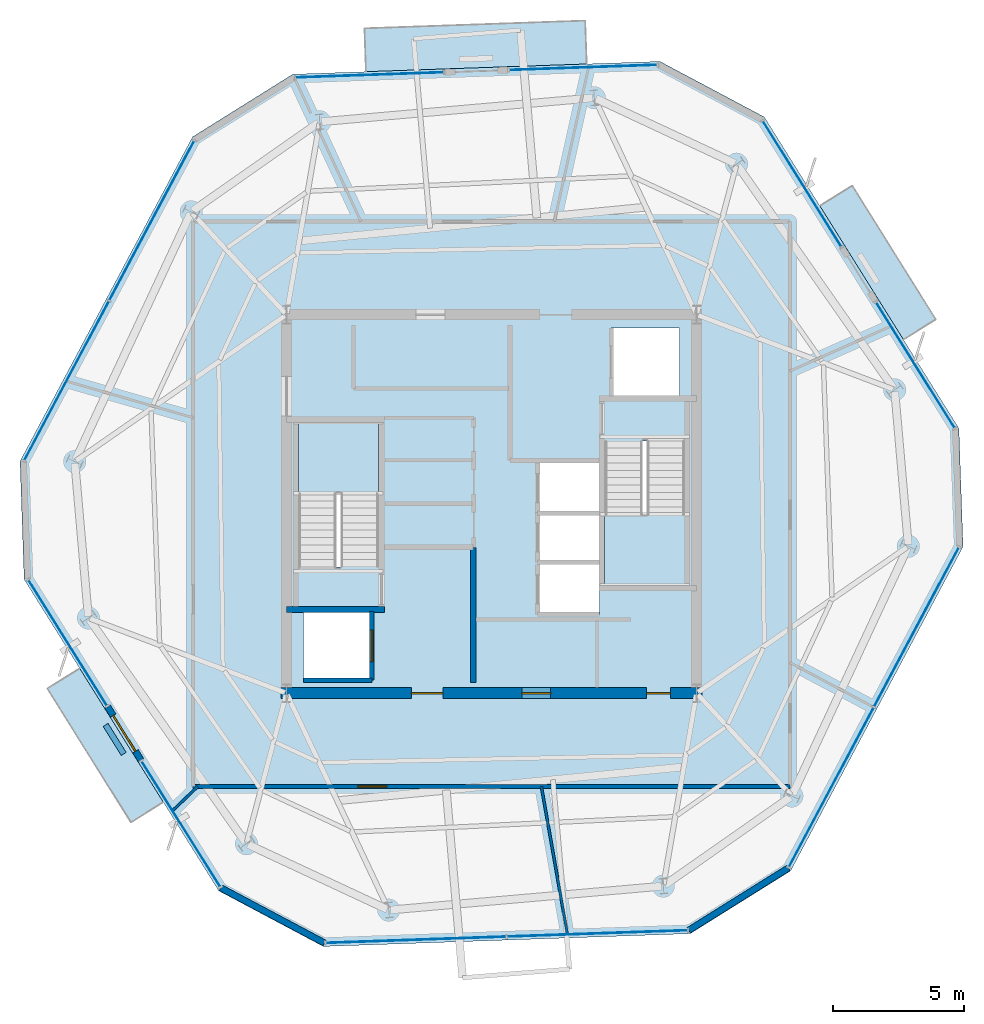
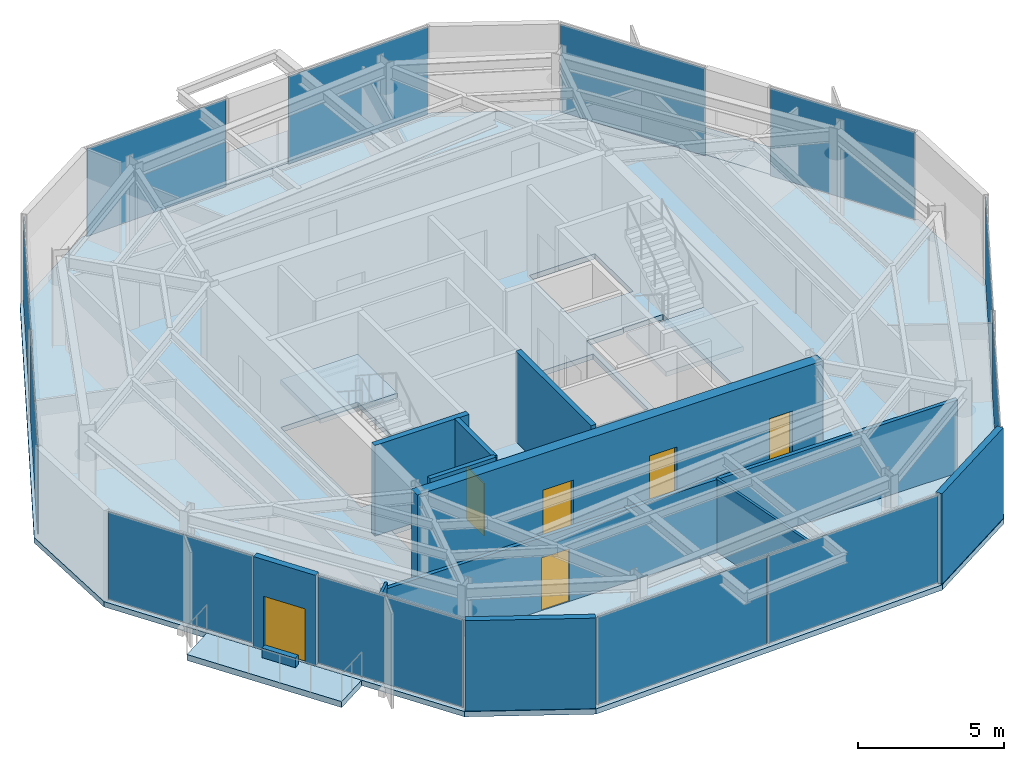
# One storey, part 5 of 11: 12 plates, 12 walls, 6 doors, 6 slabs, 6 openings, 11 elements without a shape of their own.
"""IFC4 building model written with IfcOpenShell, lengths in metres."""

from ifc_helpers import new_model, si_unit, direction, frame, frame_2d, origin, origin_2d, place, context, subcontext, project, spatial, polyline, rectangle, outline, extrude, material, layer, layer_set, type_object, element, fill, aggregate, save


model = new_model("IFC4")

# Units and contexts
model_context = context("Model", 3, precision=1e-05, world=origin(), true_north=direction((0.0, 1.0)))
body_context = subcontext(model_context, "Body", "Model", "MODEL_VIEW")
ifc_project = project(units=[si_unit("LENGTHUNIT", "METRE"), si_unit("AREAUNIT", "SQUARE_METRE"), si_unit("VOLUMEUNIT", "CUBIC_METRE"), si_unit("PLANEANGLEUNIT", "RADIAN"), si_unit("MASSUNIT", "GRAM", prefix="KILO")], contexts=[model_context])

# Site, building, storey
site_placement = place(None, origin())
site = spatial("IfcSite", under=ifc_project, at=site_placement, CompositionType="ELEMENT")
building_placement = place(site_placement, origin())
building = spatial("IfcBuilding", under=site, at=building_placement, Name="Kranzbogen Civic Tower", CompositionType="ELEMENT")
storey_placement = place(building_placement, frame((0.0, 0.0, 274.199951171875)))
storey = spatial("IfcBuildingStorey", under=building, at=storey_placement, Name="L66", CompositionType="ELEMENT", Elevation=274.199951171875)

# Slab
ifc_material_1 = material(Name="Concrete C40/50", Category="concrete")
ifc_layer_1 = layer(ifc_material_1, 0.219970703125, Name="Concrete C40/50")
ifc_layer_set_1 = layer_set([ifc_layer_1], Name="Concrete C40/50")
slab_type_1 = type_object("IfcSlabType", Name="Composite Upper Tower Floor Slab 220 mm", PredefinedType="FLOOR", material=ifc_layer_set_1)
slab_1_placement = place(storey_placement, frame((0.0, 0.0, -0.219970703125)))
element("IfcSlab", 1, at=slab_1_placement, inside=storey, type_object=slab_type_1, Name="L66 tower floor slab", PredefinedType="FLOOR", context=body_context, shape_type="SweptSolid", body=[
    extrude(outline(polyline([(31.402099609375, 41.833984375), (17.43896484375, 41.345947265625), (13.623046875, 38.9609375), (7.06298828125, 26.625), (7.219970703125, 22.1279296875), (14.6240234375, 10.279052734375), (18.597900390625, 8.166015625), (32.56103515625, 8.654052734375), (36.376953125, 11.0390625), (42.93701171875, 23.375), (42.780029296875, 27.8720703125), (35.3759765625, 39.720947265625), (31.402099609375, 41.833984375)]), holes=[polyline([(17.85009765625, 20.89990234375), (20.449951171875, 20.89990234375), (20.449951171875, 18.300048828125), (17.85009765625, 18.300048828125), (17.85009765625, 20.89990234375)]), polyline([(29.10009765625, 22.699951171875), (29.10009765625, 20.800048828125), (26.75, 20.800048828125), (26.75, 22.699951171875), (29.10009765625, 22.699951171875)]), polyline([(29.10009765625, 24.64990234375), (29.10009765625, 22.77490234375), (26.75, 22.77490234375), (26.75, 24.64990234375), (26.75, 24.675048828125), (26.75, 26.550048828125), (29.10009765625, 26.550048828125), (29.10009765625, 24.675048828125), (29.10009765625, 24.64990234375)]), polyline([(29.300048828125, 27.340087890625), (30.75, 27.340087890625), (30.75, 27.39990234375), (32.35009765625, 27.39990234375), (32.35009765625, 21.89990234375), (29.300048828125, 21.89990234375), (29.300048828125, 27.340087890625)]), polyline([(20.699951171875, 22.659912109375), (19.25, 22.659912109375), (19.25, 22.60009765625), (17.64990234375, 22.60009765625), (17.64990234375, 28.10009765625), (20.699951171875, 28.10009765625), (20.699951171875, 22.659912109375)]), polyline([(32.14990234375, 31.699951171875), (32.14990234375, 29.10009765625), (29.550048828125, 29.10009765625), (29.550048828125, 31.699951171875), (32.14990234375, 31.699951171875)])]), origin(), (0.0, 0.0, 1.0), 0.219970703125),
])

# Curtain wall, plate
ifc_material_2 = material(Name="Pale Anodised Aluminium", Category="aluminium")
ifc_layer_2 = layer(ifc_material_2, 0.219970703125, Name="Pale Anodised Aluminium")
ifc_layer_set_2 = layer_set([ifc_layer_2], Name="Pale Anodised Aluminium")
curtain_wall_type = type_object("IfcCurtainWallType", Name="Zone 4 Stick Curtain Wall System CW-05", PredefinedType="USERDEFINED", material=ifc_layer_set_2)
curtain_wall_1_placement = place(storey_placement, origin())
curtain_wall_1 = element("IfcCurtainWall", 2, at=curtain_wall_1_placement, inside=storey, type_object=curtain_wall_type, Name="L66 curtain wall CW-L66-F1-S1", ObjectType="STICK CURTAIN WALL", PredefinedType="USERDEFINED")
ifc_material_3 = material(Name="Low-E Triple Glazing Glass", Category="glass")
ifc_layer_3 = layer(ifc_material_3, 0.028076171875, Name="Low-E Triple Glazing Glass")
ifc_layer_set_3 = layer_set([ifc_layer_3], Name="Low-E Triple Glazing Glass")
plate_type = type_object("IfcPlateType", Name="Insulated Low-E Glazing Panel 28 mm", PredefinedType="CURTAIN_PANEL", material=ifc_layer_set_3)
plate_1_placement = place(storey_placement, frame((28.488037109375, 41.60302734375, 0.06005859375), z_axis=(0.0, 0.0, 1.0), x_axis=(-0.999390986249, -0.034894936667, 0.0)))
plate_1 = element("IfcPlate", 3, at=plate_1_placement, type_object=plate_type, Name="CW-05 panel 1.1", PredefinedType="CURTAIN_PANEL", context=body_context, shape_type="SweptSolid", body=[
    extrude(rectangle(XDim=5.611572265625, YDim=0.028076171875, at=origin_2d()), origin(), (0.0, 0.0, 1.0), 3.659912109375),
])
aggregate(curtain_wall_1, [plate_1])

curtain_wall_2_placement = place(storey_placement, origin())
curtain_wall_2 = element("IfcCurtainWall", 4, at=curtain_wall_2_placement, inside=storey, type_object=curtain_wall_type, Name="L66 curtain wall CW-L66-F1-S2", ObjectType="STICK CURTAIN WALL", PredefinedType="USERDEFINED")
plate_2_placement = place(storey_placement, frame((20.361572265625, 41.319091796875, 0.06005859375), z_axis=(0.0, 0.0, 1.0), x_axis=(-0.999390773743, -0.034901022307, 0.0)))
plate_2 = element("IfcPlate", 5, at=plate_2_placement, type_object=plate_type, Name="CW-05 panel 1.1", PredefinedType="CURTAIN_PANEL", context=body_context, shape_type="SweptSolid", body=[
    extrude(rectangle(XDim=5.610595703125, YDim=0.028076171875, at=origin_2d()), origin(), (0.0, 0.0, 1.0), 3.659912109375),
])
aggregate(curtain_wall_2, [plate_2])

# Curtain wall, plates
curtain_wall_3_placement = place(storey_placement, origin())
curtain_wall_3 = element("IfcCurtainWall", 6, at=curtain_wall_3_placement, inside=storey, type_object=curtain_wall_type, Name="L66 curtain wall CW-L66-F2", ObjectType="STICK CURTAIN WALL", PredefinedType="USERDEFINED")
plate_3_placement = place(storey_placement, frame((12.07666015625, 35.77880859375, 0.06005859375), z_axis=(0.0, 0.0, 1.0), x_axis=(-0.469520855641, -0.882921381618, 0.0)))
plate_3 = element("IfcPlate", 7, at=plate_3_placement, type_object=plate_type, Name="CW-05 panel 1.1", PredefinedType="CURTAIN_PANEL", context=body_context, shape_type="SweptSolid", body=[
    extrude(rectangle(XDim=6.841552734375, YDim=0.028076171875, at=origin_2d()), origin(), (0.0, 0.0, 1.0), 3.659912109375),
])
plate_4_placement = place(storey_placement, frame((8.836181640625, 29.685302734375, 0.06005859375), z_axis=(0.0, 0.0, 1.0), x_axis=(-0.469520855641, -0.882921381618, 0.0)))
plate_4 = element("IfcPlate", 8, at=plate_4_placement, type_object=plate_type, Name="CW-05 panel 2.1", PredefinedType="CURTAIN_PANEL", context=body_context, shape_type="SweptSolid", body=[
    extrude(rectangle(XDim=6.841552734375, YDim=0.028076171875, at=origin_2d()), origin(), (0.0, 0.0, 1.0), 3.659912109375),
])
aggregate(curtain_wall_3, [plate_3, plate_4])

# Curtain wall, plate
curtain_wall_4_placement = place(storey_placement, origin())
curtain_wall_4 = element("IfcCurtainWall", 9, at=curtain_wall_4_placement, inside=storey, type_object=curtain_wall_type, Name="L66 curtain wall CW-L66-F3-S1", ObjectType="STICK CURTAIN WALL", PredefinedType="USERDEFINED")
plate_5_placement = place(storey_placement, frame((8.876953125, 19.719482421875, 0.06005859375), z_axis=(0.0, 0.0, 1.0), x_axis=(0.529983258898, -0.848008104494, 0.0)))
plate_5 = element("IfcPlate", 10, at=plate_5_placement, type_object=plate_type, Name="CW-05 panel 1.1", PredefinedType="CURTAIN_PANEL", context=body_context, shape_type="SweptSolid", body=[
    extrude(rectangle(XDim=5.6123046875, YDim=0.028076171875, at=origin_2d()), origin(), (0.0, 0.0, 1.0), 3.659912109375),
])
aggregate(curtain_wall_4, [plate_5])

curtain_wall_5_placement = place(storey_placement, origin())
curtain_wall_5 = element("IfcCurtainWall", 11, at=curtain_wall_5_placement, inside=storey, type_object=curtain_wall_type, Name="L66 curtain wall CW-L66-F3-S2", ObjectType="STICK CURTAIN WALL", PredefinedType="USERDEFINED")
plate_6_placement = place(storey_placement, frame((13.18603515625, 12.823486328125, 0.06005859375), z_axis=(0.0, 0.0, 1.0), x_axis=(0.529983258898, -0.848008104494, 0.0)))
plate_6 = element("IfcPlate", 12, at=plate_6_placement, type_object=plate_type, Name="CW-05 panel 1.1", PredefinedType="CURTAIN_PANEL", context=body_context, shape_type="SweptSolid", body=[
    extrude(rectangle(XDim=5.6123046875, YDim=0.028076171875, at=origin_2d()), origin(), (0.0, 0.0, 1.0), 3.659912109375),
])
aggregate(curtain_wall_5, [plate_6])

# Curtain wall, plates
curtain_wall_6_placement = place(storey_placement, origin())
curtain_wall_6 = element("IfcCurtainWall", 13, at=curtain_wall_6_placement, inside=storey, type_object=curtain_wall_type, Name="L66 curtain wall CW-L66-F4", ObjectType="STICK CURTAIN WALL", PredefinedType="USERDEFINED")
plate_7_placement = place(storey_placement, frame((22.12646484375, 8.41845703125, 0.06005859375), z_axis=(0.0, 0.0, 1.0), x_axis=(0.999390304431, 0.034914458455, 0.0)))
plate_7 = element("IfcPlate", 14, at=plate_7_placement, type_object=plate_type, Name="CW-05 panel 1.1", PredefinedType="CURTAIN_PANEL", context=body_context, shape_type="SweptSolid", body=[
    extrude(rectangle(XDim=6.84130859375, YDim=0.028076171875, at=origin_2d()), origin(), (0.0, 0.0, 1.0), 3.659912109375),
])
plate_8_placement = place(storey_placement, frame((29.0234375, 8.659423828125, 0.06005859375), z_axis=(0.0, 0.0, 1.0), x_axis=(0.999390304431, 0.034914458455, 0.0)))
plate_8 = element("IfcPlate", 15, at=plate_8_placement, type_object=plate_type, Name="CW-05 panel 2.1", PredefinedType="CURTAIN_PANEL", context=body_context, shape_type="SweptSolid", body=[
    extrude(rectangle(XDim=6.84130859375, YDim=0.028076171875, at=origin_2d()), origin(), (0.0, 0.0, 1.0), 3.659912109375),
])
aggregate(curtain_wall_6, [plate_7, plate_8])

curtain_wall_7_placement = place(storey_placement, origin())
curtain_wall_7 = element("IfcCurtainWall", 16, at=curtain_wall_7_placement, inside=storey, type_object=curtain_wall_type, Name="L66 curtain wall CW-L66-F5", ObjectType="STICK CURTAIN WALL", PredefinedType="USERDEFINED")
plate_9_placement = place(storey_placement, frame((37.92333984375, 14.22119140625, 0.06005859375), z_axis=(0.0, 0.0, 1.0), x_axis=(0.469520855641, 0.882921381618, 0.0)))
plate_9 = element("IfcPlate", 17, at=plate_9_placement, type_object=plate_type, Name="CW-05 panel 1.1", PredefinedType="CURTAIN_PANEL", context=body_context, shape_type="SweptSolid", body=[
    extrude(rectangle(XDim=6.841552734375, YDim=0.028076171875, at=origin_2d()), origin(), (0.0, 0.0, 1.0), 3.659912109375),
])
plate_10_placement = place(storey_placement, frame((41.163818359375, 20.314697265625, 0.06005859375), z_axis=(0.0, 0.0, 1.0), x_axis=(0.469520855641, 0.882921381618, 0.0)))
plate_10 = element("IfcPlate", 18, at=plate_10_placement, type_object=plate_type, Name="CW-05 panel 2.1", PredefinedType="CURTAIN_PANEL", context=body_context, shape_type="SweptSolid", body=[
    extrude(rectangle(XDim=6.841552734375, YDim=0.028076171875, at=origin_2d()), origin(), (0.0, 0.0, 1.0), 3.659912109375),
])
aggregate(curtain_wall_7, [plate_9, plate_10])

# Curtain wall, plate
curtain_wall_8_placement = place(storey_placement, origin())
curtain_wall_8 = element("IfcCurtainWall", 19, at=curtain_wall_8_placement, inside=storey, type_object=curtain_wall_type, Name="L66 curtain wall CW-L66-F6-S1", ObjectType="STICK CURTAIN WALL", PredefinedType="USERDEFINED")
plate_11_placement = place(storey_placement, frame((41.123046875, 30.280517578125, 0.06005859375), z_axis=(0.0, 0.0, 1.0), x_axis=(-0.529983258898, 0.848008104494, 0.0)))
plate_11 = element("IfcPlate", 20, at=plate_11_placement, type_object=plate_type, Name="CW-05 panel 1.1", PredefinedType="CURTAIN_PANEL", context=body_context, shape_type="SweptSolid", body=[
    extrude(rectangle(XDim=5.6123046875, YDim=0.028076171875, at=origin_2d()), origin(), (0.0, 0.0, 1.0), 3.659912109375),
])
aggregate(curtain_wall_8, [plate_11])

curtain_wall_9_placement = place(storey_placement, origin())
curtain_wall_9 = element("IfcCurtainWall", 21, at=curtain_wall_9_placement, inside=storey, type_object=curtain_wall_type, Name="L66 curtain wall CW-L66-F6-S2", ObjectType="STICK CURTAIN WALL", PredefinedType="USERDEFINED")
plate_12_placement = place(storey_placement, frame((36.81396484375, 37.176513671875, 0.06005859375), z_axis=(0.0, 0.0, 1.0), x_axis=(-0.529983258898, 0.848008104494, 0.0)))
plate_12 = element("IfcPlate", 22, at=plate_12_placement, type_object=plate_type, Name="CW-05 panel 1.1", PredefinedType="CURTAIN_PANEL", context=body_context, shape_type="SweptSolid", body=[
    extrude(rectangle(XDim=5.6123046875, YDim=0.028076171875, at=origin_2d()), origin(), (0.0, 0.0, 1.0), 3.659912109375),
])
aggregate(curtain_wall_9, [plate_12])

# Stair, slab
ifc_material_4 = material(Name="Precast concrete C40/50", Category="concrete")
stair_type_1 = type_object("IfcStairType", Name="Tower Core Pressurized Dogleg Stair 1450", PredefinedType="HALF_TURN_STAIR", material=ifc_material_4)
stair_1_placement = place(storey_placement, origin())
stair_1 = element("IfcStair", 23, at=stair_1_placement, inside=storey, type_object=stair_type_1, Name="L66 Tower Core Pressurized Stair 1", PredefinedType="HALF_TURN_STAIR")
ifc_layer_4 = layer(ifc_material_4, 0.199951171875, Name="Precast concrete C40/50")
ifc_layer_set_4 = layer_set([ifc_layer_4], Name="Precast concrete C40/50")
slab_type_2 = type_object("IfcSlabType", Name="Precast Concrete Stair Landing Slab 200 mm", PredefinedType="LANDING", material=ifc_layer_set_4)
slab_2_placement = place(storey_placement, frame((0.0, 0.0, 1.800048828125)))
slab_2 = element("IfcSlab", 24, at=slab_2_placement, type_object=slab_type_2, Name="ST-T1 landing 1", PredefinedType="LANDING", context=body_context, shape_type="SweptSolid", body=[
    extrude(outline(polyline([(20.699951171875, 25.39990234375), (20.699951171875, 28.10009765625), (17.64990234375, 28.10009765625), (17.64990234375, 25.39990234375), (20.699951171875, 25.39990234375)])), origin(), (0.0, 0.0, 1.0), 0.199951171875),
])
aggregate(stair_1, [slab_2])

stair_type_2 = type_object("IfcStairType", Name="Tower Core Secondary Dogleg Stair 1450", PredefinedType="HALF_TURN_STAIR", material=ifc_material_4)
stair_2_placement = place(storey_placement, origin())
stair_2 = element("IfcStair", 25, at=stair_2_placement, inside=storey, type_object=stair_type_2, Name="L66 Tower Core Pressurized Stair 2", PredefinedType="HALF_TURN_STAIR")
slab_3_placement = place(storey_placement, frame((0.0, 0.0, 1.800048828125)))
slab_3 = element("IfcSlab", 26, at=slab_3_placement, type_object=slab_type_2, Name="ST-T2 landing 1", PredefinedType="LANDING", context=body_context, shape_type="SweptSolid", body=[
    extrude(outline(polyline([(29.300048828125, 24.60009765625), (29.300048828125, 21.89990234375), (32.35009765625, 21.89990234375), (32.35009765625, 24.60009765625), (29.300048828125, 24.60009765625)])), origin(), (0.0, 0.0, 1.0), 0.199951171875),
])
aggregate(stair_2, [slab_3])

# Slabs
ifc_layer_5 = layer(ifc_material_1, 0.280029296875, Name="Concrete C40/50")
ifc_layer_set_5 = layer_set([ifc_layer_5], Name="Concrete C40/50")
slab_type_3 = type_object("IfcSlabType", Name="Spiral Terrace Cantilevered Slab 280 mm", PredefinedType="FLOOR", material=ifc_layer_set_5)
slab_4_placement = place(storey_placement, frame((0.0, 0.0, -0.280029296875)))
element("IfcSlab", 27, at=slab_4_placement, inside=storey, type_object=slab_type_3, Name="L66 cantilevered spiral terrace L66-ST", PredefinedType="FLOOR", context=body_context, shape_type="SweptSolid", body=[
    extrude(outline(polyline([(28.617919921875, 41.736083984375), (20.222900390625, 41.443115234375), (20.1650390625, 43.092041015625), (28.56005859375, 43.385009765625), (28.617919921875, 41.736083984375)])), origin(), (0.0, 0.0, 1.0), 0.280029296875),
])
ifc_layer_6 = layer(ifc_material_1, 0.25, Name="Concrete C40/50")
ifc_layer_set_6 = layer_set([ifc_layer_6], Name="Concrete C40/50")
slab_type_4 = type_object("IfcSlabType", Name="Tree Balcony Cantilevered Slab 250 mm", PredefinedType="FLOOR", material=ifc_layer_set_6)
slab_5_placement = place(storey_placement, frame((0.0, 0.0, -0.25)))
element("IfcSlab", 28, at=slab_5_placement, inside=storey, type_object=slab_type_4, Name="L66 cantilevered tree balcony L66-TB1", PredefinedType="FLOOR", context=body_context, shape_type="SweptSolid", body=[
    extrude(outline(polyline([(40.6669921875, 31.2529296875), (37.488037109375, 36.341064453125), (38.718017578125, 37.10888671875), (41.89697265625, 32.02099609375), (40.6669921875, 31.2529296875)])), origin(), (0.0, 0.0, 1.0), 0.25),
])
slab_6_placement = place(storey_placement, frame((0.0, 0.0, -0.25)))
element("IfcSlab", 29, at=slab_6_placement, inside=storey, type_object=slab_type_4, Name="L66 cantilevered tree balcony L66-TB2", PredefinedType="FLOOR", context=body_context, shape_type="SweptSolid", body=[
    extrude(outline(polyline([(9.3330078125, 18.7470703125), (12.511962890625, 13.658935546875), (11.281982421875, 12.89111328125), (8.10302734375, 17.97900390625), (9.3330078125, 18.7470703125)])), origin(), (0.0, 0.0, 1.0), 0.25),
])

# Wall, opening, door
ifc_material_5 = material(Name="Double-Stud Acoustic Gypsum Partition")
ifc_layer_7 = layer(ifc_material_5, 0.14990234375, Name="Double-Stud Acoustic Gypsum Partition")
ifc_layer_set_7 = layer_set([ifc_layer_7], Name="Double-Stud Acoustic Gypsum Partition")
wall_type_1 = type_object("IfcWallType", Name="Acoustic Corridor and Clinical Partition 150 mm", PredefinedType="PARTITIONING", material=ifc_layer_set_7)
wall_1_placement = place(storey_placement, frame((36.35009765625, 14.25, 0.0), z_axis=(0.0, 0.0, 1.0), x_axis=(-1.0, 0.0, 0.0)))
wall_1 = element("IfcWall", 30, at=wall_1_placement, inside=storey, type_object=wall_type_1, Name="L66 corridor partition 03", PredefinedType="PARTITIONING", context=body_context, shape_type="SweptSolid", body=[
    extrude(rectangle(XDim=22.7001953125, YDim=0.14990234375, at=frame_2d((11.35009765625, 0.0))), origin(), (0.0, 0.0, 1.0), 3.050048828125),
])
opening_1_placement = place(wall_1_placement, frame((15.337890625, 0.0, 0.0)))
opening_1 = element("IfcOpeningElement", 31, at=opening_1_placement, cuts=wall_1, Name="Opening D-COR60", PredefinedType="OPENING", context=body_context, shape_type="SweptSolid", body=[
    extrude(rectangle(XDim=1.10009765625, YDim=2.199951171875, at=frame_2d((0.550048828125, 1.10009765625))), frame((0.0, 0.0849609375, 0.0), z_axis=(0.0, -1.0, 0.0), x_axis=(1.0, 0.0, 0.0)), (0.0, 0.0, 1.0), 0.169921875),
])
ifc_material_6 = material(Name="Oak Timber and Fire Core", Category="wood")
door_type_1 = type_object("IfcDoorType", Name="Corridor Acoustic Fire Door 1100x2200", OperationType="NOTDEFINED", PredefinedType="DOOR", material=ifc_material_6)
door_1_placement = place(opening_1_placement, origin())
door_1 = element("IfcDoor", 32, at=door_1_placement, inside=storey, type_object=door_type_1, Name="L66 Central Mail Post Room door", OperationType="SINGLE_SWING_RIGHT", OverallHeight=2.199951171875, OverallWidth=1.10009765625, PredefinedType="DOOR", context=body_context, shape_type="SweptSolid", body=[
    extrude(rectangle(XDim=1.10009765625, YDim=2.199951171875, at=frame_2d((0.550048828125, 1.10009765625))), frame((0.0, 0.02490234375, 0.0), z_axis=(0.0, -1.0, 0.0), x_axis=(1.0, 0.0, 0.0)), (0.0, 0.0, 1.0), 0.050048828125),
])
fill(opening_1, door_1)

# Wall
ifc_material_7 = material(Name="Architectural Precast Terracotta Concrete C40/50", Category="masonry")
ifc_layer_8 = layer(ifc_material_7, 0.219970703125, Name="Architectural Precast Terracotta Concrete C40/50")
ifc_layer_set_8 = layer_set([ifc_layer_8], Name="Architectural Precast Terracotta Concrete C40/50")
wall_type_2 = type_object("IfcWallType", Name="Architectural Tree Planter Kerb Wall 220 mm", PredefinedType="USERDEFINED", material=ifc_layer_set_8)
wall_2_placement = place(storey_placement, frame((10.320068359375, 16.593017578125, 0.0), z_axis=(0.0, 0.0, 1.0), x_axis=(0.52955968417, -0.848272680747, 0.0)))
element("IfcWall", 33, at=wall_2_placement, inside=storey, type_object=wall_type_2, Name="L66 landscaped tree balcony planter L66-TB2", ObjectType="PLANTER_WALL", PredefinedType="USERDEFINED", context=body_context, shape_type="SweptSolid", body=[
    extrude(rectangle(XDim=1.299072265625, YDim=0.219970703125, at=frame_2d((0.6494140625, 0.0))), origin(), (0.0, 0.0, 1.0), 0.400146484375),
])

# Wall, openings, doors
ifc_material_8 = material(Name="Concrete C45/55", Category="concrete")
ifc_layer_9 = layer(ifc_material_8, 0.419921875, Name="Concrete C45/55")
ifc_layer_set_9 = layer_set([ifc_layer_9], Name="Concrete C45/55")
wall_type_3 = type_object("IfcWallType", Name="Central Core Shear Wall 420 mm", PredefinedType="SHEAR", material=ifc_layer_set_9)
wall_3_placement = place(storey_placement, frame((16.989990234375, 17.800048828125, 0.0), z_axis=(0.0, 0.0, 1.0), x_axis=(1.0, 0.0, 0.0)))
wall_3 = element("IfcWall", 34, at=wall_3_placement, inside=storey, type_object=wall_type_3, Name="L66 central core South shear wall", PredefinedType="SHEAR", context=body_context, shape_type="SweptSolid", body=[
    extrude(rectangle(XDim=16.02001953125, YDim=0.419921875, at=frame_2d((8.010009765625, 0.0))), origin(), (0.0, 0.0, 1.0), 3.780029296875),
])
opening_2_placement = place(wall_3_placement, frame((4.9599609375, 0.0, 0.0)))
opening_2 = element("IfcOpeningElement", 35, at=opening_2_placement, cuts=wall_3, Name="Opening D-EX120", PredefinedType="OPENING", context=body_context, shape_type="SweptSolid", body=[
    extrude(rectangle(XDim=1.199951171875, YDim=2.25, at=frame_2d((0.60009765625, 1.125))), frame((0.0, 0.219970703125, 0.0), z_axis=(0.0, -1.0, 0.0), x_axis=(1.0, 0.0, 0.0)), (0.0, 0.0, 1.0), 0.43994140625),
])
opening_3_placement = place(wall_3_placement, frame((13.909912109375, 0.0, 0.0)))
opening_3 = element("IfcOpeningElement", 36, at=opening_3_placement, cuts=wall_3, Name="Opening D-WC90", PredefinedType="OPENING", context=body_context, shape_type="SweptSolid", body=[
    extrude(rectangle(XDim=0.89990234375, YDim=2.10009765625, at=frame_2d((0.449951171875, 1.050048828125))), frame((0.0, 0.219970703125, 0.0), z_axis=(0.0, -1.0, 0.0), x_axis=(1.0, 0.0, 0.0)), (0.0, 0.0, 1.0), 0.43994140625),
])
opening_4_placement = place(wall_3_placement, frame((9.159912109375, 0.0, 0.0)))
opening_4 = element("IfcOpeningElement", 37, at=opening_4_placement, cuts=wall_3, Name="Opening D-COR60", PredefinedType="OPENING", context=body_context, shape_type="SweptSolid", body=[
    extrude(rectangle(XDim=1.10009765625, YDim=2.199951171875, at=frame_2d((0.550048828125, 1.10009765625))), frame((0.0, 0.219970703125, 0.0), z_axis=(0.0, -1.0, 0.0), x_axis=(1.0, 0.0, 0.0)), (0.0, 0.0, 1.0), 0.43994140625),
])
door_2_placement = place(opening_4_placement, origin())
door_2 = element("IfcDoor", 38, at=door_2_placement, inside=storey, type_object=door_type_1, Name="L66 REC1 archive room door", OperationType="SINGLE_SWING_LEFT", OverallHeight=2.199951171875, OverallWidth=1.10009765625, PredefinedType="DOOR", context=body_context, shape_type="SweptSolid", body=[
    extrude(rectangle(XDim=1.10009765625, YDim=2.199951171875, at=frame_2d((0.550048828125, 1.10009765625))), frame((0.0, 0.02490234375, 0.0), z_axis=(0.0, -1.0, 0.0), x_axis=(1.0, 0.0, 0.0)), (0.0, 0.0, 1.0), 0.050048828125),
])
fill(opening_4, door_2)
ifc_material_9 = material(Name="Steel S355", Category="steel")
door_type_2 = type_object("IfcDoorType", Name="Exit Passageway Fire Door 1200x2250", OperationType="NOTDEFINED", PredefinedType="DOOR", material=ifc_material_9)
door_3_placement = place(opening_2_placement, origin())
door_3 = element("IfcDoor", 39, at=door_3_placement, inside=storey, type_object=door_type_2, Name="L66 West firefighting lobby corridor door", OperationType="SINGLE_SWING_LEFT", OverallHeight=2.25, OverallWidth=1.199951171875, PredefinedType="DOOR", context=body_context, shape_type="SweptSolid", body=[
    extrude(rectangle(XDim=1.199951171875, YDim=2.25, at=frame_2d((0.60009765625, 1.125))), frame((0.0, 0.02490234375, 0.0), z_axis=(0.0, -1.0, 0.0), x_axis=(1.0, 0.0, 0.0)), (0.0, 0.0, 1.0), 0.050048828125),
])
fill(opening_2, door_3)
ifc_material_10 = material(Name="Moisture-Resistant Laminate")
door_type_3 = type_object("IfcDoorType", Name="Standard Restroom and Store Door 900x2100", OperationType="NOTDEFINED", PredefinedType="DOOR", material=ifc_material_10)
door_4_placement = place(opening_3_placement, origin())
door_4 = element("IfcDoor", 40, at=door_4_placement, inside=storey, type_object=door_type_3, Name="L66 East electrical riser access door", OperationType="SINGLE_SWING_RIGHT", OverallHeight=2.10009765625, OverallWidth=0.89990234375, PredefinedType="DOOR", context=body_context, shape_type="SweptSolid", body=[
    extrude(rectangle(XDim=0.89990234375, YDim=2.10009765625, at=frame_2d((0.449951171875, 1.050048828125))), frame((0.0, 0.02490234375, 0.0), z_axis=(0.0, -1.0, 0.0), x_axis=(1.0, 0.0, 0.0)), (0.0, 0.0, 1.0), 0.050048828125),
])
fill(opening_3, door_4)

# Walls
ifc_layer_10 = layer(ifc_material_8, 0.219970703125, Name="Concrete C45/55")
ifc_layer_set_10 = layer_set([ifc_layer_10], Name="Concrete C45/55")
wall_type_4 = type_object("IfcWallType", Name="Core Internal Stair Structural Wall 220 mm", PredefinedType="SOLIDWALL", material=ifc_layer_set_10)
wall_4_placement = place(storey_placement, frame((17.199951171875, 20.989990234375, 0.0), z_axis=(0.0, 0.0, 1.0), x_axis=(1.0, 0.0, 0.0)))
element("IfcWall", 41, at=wall_4_placement, inside=storey, type_object=wall_type_4, Name="L66 ST-T1 South structural stair wall", PredefinedType="SOLIDWALL", context=body_context, shape_type="SweptSolid", body=[
    extrude(rectangle(XDim=3.719970703125, YDim=0.219970703125, at=frame_2d((1.85986328125, 0.0))), origin(), (0.0, 0.0, 1.0), 3.780029296875),
])
ifc_material_11 = material(Name="Demountable Aluminium and Gypsum Partition", Category="aluminium")
ifc_layer_11 = layer(ifc_material_11, 0.10009765625, Name="Demountable Aluminium and Gypsum Partition")
ifc_layer_set_11 = layer_set([ifc_layer_11], Name="Demountable Aluminium and Gypsum Partition")
wall_type_5 = type_object("IfcWallType", Name="Demountable Office Partition 100 mm", PredefinedType="MOVABLE", material=ifc_layer_set_11)
wall_5_placement = place(storey_placement, frame((13.822021484375, 14.25, 0.0), z_axis=(0.0, 0.0, 1.0), x_axis=(-0.720793582425, -0.693149775687, 0.0)))
element("IfcWall", 42, at=wall_5_placement, inside=storey, type_object=wall_type_5, Name="L66 radial room partition 03", PredefinedType="MOVABLE", context=body_context, shape_type="SweptSolid", body=[
    extrude(rectangle(XDim=1.30712890625, YDim=0.10009765625, at=frame_2d((0.653564453125, 0.0))), origin(), (0.0, 0.0, 1.0), 3.280029296875),
])
wall_6_placement = place(storey_placement, frame((26.89599609375, 14.25, 0.0), z_axis=(0.0, 0.0, 1.0), x_axis=(0.17366317524, -0.984805108418, 0.0)))
element("IfcWall", 43, at=wall_6_placement, inside=storey, type_object=wall_type_5, Name="L66 radial room partition 04", PredefinedType="MOVABLE", context=body_context, shape_type="SweptSolid", body=[
    extrude(rectangle(XDim=5.70068359375, YDim=0.10009765625, at=frame_2d((2.850341796875, 0.0))), origin(), (0.0, 0.0, 1.0), 3.050048828125),
])
ifc_material_12 = material(Name="Gypsum Fireboard and Concrete Block", Category="concrete")
ifc_layer_12 = layer(ifc_material_12, 0.199951171875, Name="Gypsum Fireboard and Concrete Block")
ifc_layer_set_12 = layer_set([ifc_layer_12], Name="Gypsum Fireboard and Concrete Block")
wall_type_6 = type_object("IfcWallType", Name="Fire-Rated Exit Passageway and Stair Wall 200 mm", PredefinedType="PARTITIONING", material=ifc_layer_set_12)
wall_7_placement = place(storey_placement, frame((24.300048828125, 18.199951171875, 0.0), z_axis=(0.0, 0.0, 1.0), x_axis=(0.0, 1.0, 0.0)))
element("IfcWall", 44, at=wall_7_placement, inside=storey, type_object=wall_type_6, Name="L66 West firefighting lobby East wall", PredefinedType="PARTITIONING", context=body_context, shape_type="SweptSolid", body=[
    extrude(rectangle(XDim=5.150146484375, YDim=0.199951171875, at=frame_2d((2.5751953125, 0.0))), origin(), (0.0, 0.0, 1.0), 3.780029296875),
])

# Wall, opening, door
ifc_material_13 = material(Name="Gypsum Fireboard Shaftliner")
ifc_layer_13 = layer(ifc_material_13, 0.175048828125, Name="Gypsum Fireboard Shaftliner")
ifc_layer_set_13 = layer_set([ifc_layer_13], Name="Gypsum Fireboard Shaftliner")
wall_type_7 = type_object("IfcWallType", Name="Fire-Rated Lift and Service Shaft Wall 175 mm", PredefinedType="PARTITIONING", material=ifc_layer_set_13)
wall_8_placement = place(storey_placement, frame((20.449951171875, 18.300048828125, 0.0), z_axis=(0.0, 0.0, 1.0), x_axis=(0.0, 1.0, 0.0)))
wall_8 = element("IfcWall", 45, at=wall_8_placement, inside=storey, type_object=wall_type_7, Name="L66 lift FF-01 landing wall", PredefinedType="PARTITIONING", context=body_context, shape_type="SweptSolid", body=[
    extrude(rectangle(XDim=2.599853515625, YDim=0.175048828125, at=frame_2d((1.2998046875, 0.0))), origin(), (0.0, 0.0, 1.0), 3.780029296875),
])
opening_5_placement = place(wall_8_placement, frame((0.699951171875, 0.0, 0.0)))
opening_5 = element("IfcOpeningElement", 46, at=opening_5_placement, cuts=wall_8, Name="Opening LD-FF-01", PredefinedType="OPENING", context=body_context, shape_type="SweptSolid", body=[
    extrude(rectangle(XDim=1.199951171875, YDim=2.199951171875, at=frame_2d((0.60009765625, 1.10009765625))), frame((0.0, 0.09765625, 0.0), z_axis=(0.0, -1.0, 0.0), x_axis=(1.0, 0.0, 0.0)), (0.0, 0.0, 1.0), 0.195068359375),
])
door_type_4 = type_object("IfcDoorType", Name="Firefighting and Stretcher Lift Sliding Landing Door 1200x2200", OperationType="DOUBLE_DOOR_SLIDING", PredefinedType="DOOR", material=ifc_material_2)
door_5_placement = place(opening_5_placement, origin())
door_5 = element("IfcDoor", 47, at=door_5_placement, inside=storey, type_object=door_type_4, Name="L66 lift FF-01 sliding landing door", OperationType="DOUBLE_DOOR_SLIDING", OverallHeight=2.199951171875, OverallWidth=1.199951171875, PredefinedType="DOOR", context=body_context, shape_type="SweptSolid", body=[
    extrude(rectangle(XDim=1.199951171875, YDim=2.199951171875, at=frame_2d((0.60009765625, 1.10009765625))), frame((0.0, 0.02490234375, 0.0), z_axis=(0.0, -1.0, 0.0), x_axis=(1.0, 0.0, 0.0)), (0.0, 0.0, 1.0), 0.050048828125),
])
fill(opening_5, door_5)

# Wall
wall_9_placement = place(storey_placement, frame((17.85009765625, 18.300048828125, 0.0), z_axis=(0.0, 0.0, 1.0), x_axis=(1.0, 0.0, 0.0)))
element("IfcWall", 48, at=wall_9_placement, inside=storey, type_object=wall_type_7, Name="L66 lift FF-01 side wall", PredefinedType="PARTITIONING", context=body_context, shape_type="SweptSolid", body=[
    extrude(rectangle(XDim=2.599853515625, YDim=0.175048828125, at=frame_2d((1.2998046875, 0.0))), origin(), (0.0, 0.0, 1.0), 3.780029296875),
])

# Wall, opening, door
ifc_layer_14 = layer(ifc_material_2, 0.239990234375, Name="Pale Anodised Aluminium")
ifc_layer_set_14 = layer_set([ifc_layer_14], Name="Pale Anodised Aluminium")
wall_type_8 = type_object("IfcWallType", Name="Insulated Aluminium Facade Portal Wall 240 mm", PredefinedType="STANDARD", material=ifc_layer_set_14)
wall_10_placement = place(storey_placement, frame((10.39599609375, 17.2890625, 0.0), z_axis=(0.0, 0.0, 1.0), x_axis=(0.529706236636, -0.848181173376, 0.0)))
wall_10 = element("IfcWall", 49, at=wall_10_placement, inside=storey, type_object=wall_type_8, Name="L66 exterior entrance portal wall 1", PredefinedType="STANDARD", context=body_context, shape_type="SweptSolid", body=[
    extrude(rectangle(XDim=2.3994140625, YDim=0.239990234375, at=frame_2d((1.19970703125, 0.0))), origin(), (0.0, 0.0, 1.0), 3.780029296875),
])
opening_6_placement = place(wall_10_placement, frame((0.39990234375, 0.0, 0.0)))
opening_6 = element("IfcOpeningElement", 50, at=opening_6_placement, cuts=wall_10, Name="Opening D-TER", PredefinedType="OPENING", context=body_context, shape_type="SweptSolid", body=[
    extrude(rectangle(XDim=1.60009765625, YDim=2.25, at=frame_2d((0.800048828125, 1.125))), frame((0.0, 0.1298828125, 0.0), z_axis=(0.0, -1.0, 0.0), x_axis=(1.0, 0.0, 0.0)), (0.0, 0.0, 1.0), 0.260009765625),
])
ifc_material_14 = material(Name="Anodised Bronze and Triple Glass", Category="glass")
door_type_5 = type_object("IfcDoorType", Name="Glazed Terrace and Balcony Double Door 1600x2250", OperationType="DOUBLE_DOOR_SINGLE_SWING", PredefinedType="DOOR", material=ifc_material_14)
door_6_placement = place(opening_6_placement, frame((1.60009765625, 0.0, 0.0), z_axis=(0.0, 0.0, 1.0), x_axis=(-1.0, 0.0, 0.0)))
door_6 = element("IfcDoor", 51, at=door_6_placement, inside=storey, type_object=door_type_5, Name="L66 tree balcony access door L66-TB2", OperationType="DOUBLE_DOOR_SINGLE_SWING", OverallHeight=2.25, OverallWidth=1.60009765625, PredefinedType="DOOR", context=body_context, shape_type="SweptSolid", body=[
    extrude(rectangle(XDim=1.60009765625, YDim=2.25, at=frame_2d((0.800048828125, 1.125))), frame((0.0, 0.02490234375, 0.0), z_axis=(0.0, -1.0, 0.0), x_axis=(1.0, 0.0, 0.0)), (0.0, 0.0, 1.0), 0.050048828125),
])
fill(opening_6, door_6)

# Walls
wall_11_placement = place(storey_placement, frame((14.705078125, 10.39306640625, 0.0), z_axis=(0.0, 0.0, 1.0), x_axis=(0.882995347911, -0.469381737574, 0.0)))
element("IfcWall", 52, at=wall_11_placement, inside=storey, type_object=wall_type_8, Name="L66 chamfered corner facade spandrel 3", PredefinedType="STANDARD", context=body_context, shape_type="SweptSolid", body=[
    extrude(rectangle(XDim=4.46533203125, YDim=0.239990234375, at=frame_2d((2.232666015625, 0.0))), origin(), (0.0, 0.0, 1.0), 3.780029296875),
])
wall_12_placement = place(storey_placement, frame((32.501953125, 8.781005859375, 0.0), z_axis=(0.0, 0.0, 1.0), x_axis=(0.847998304005, 0.529998940003, 0.0)))
element("IfcWall", 53, at=wall_12_placement, inside=storey, type_object=wall_type_8, Name="L66 chamfered corner facade spandrel 4", PredefinedType="STANDARD", context=body_context, shape_type="SweptSolid", body=[
    extrude(rectangle(XDim=4.4658203125, YDim=0.239990234375, at=frame_2d((2.23291015625, 0.0))), origin(), (0.0, 0.0, 1.0), 3.780029296875),
])

save(model, "model.ifc")
